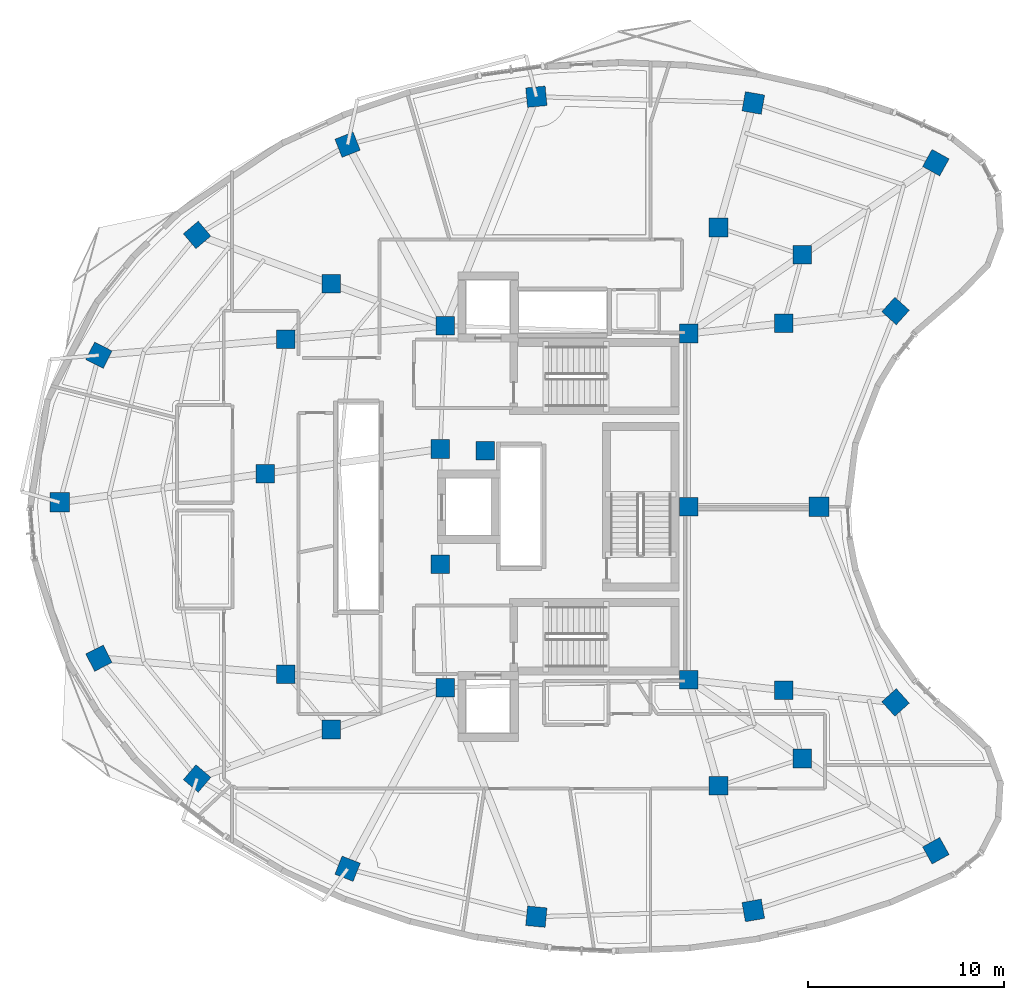
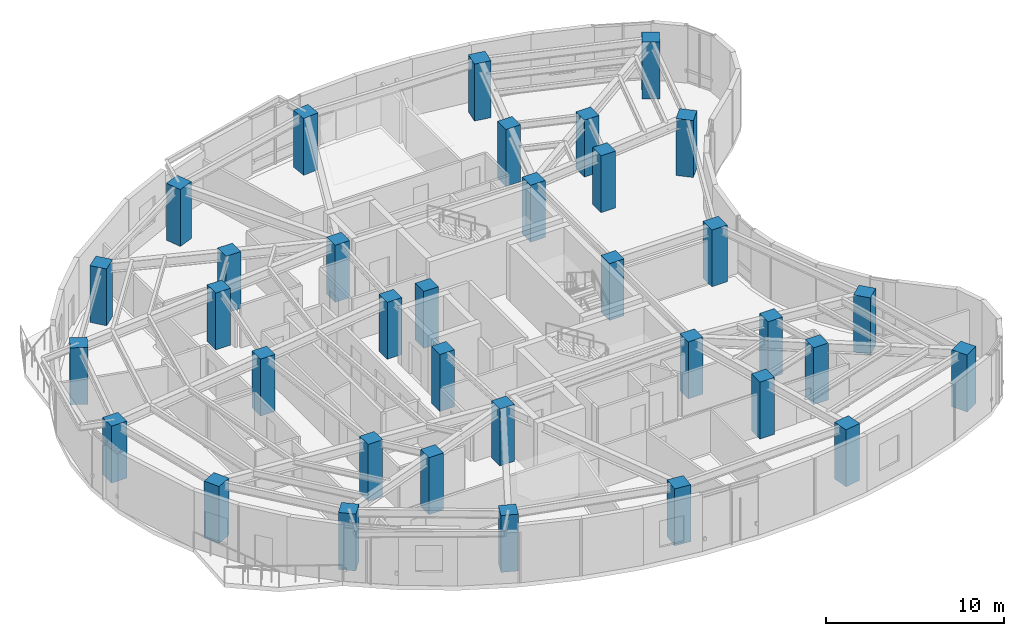
# One storey, part 1 of 15: 35 columns.
"""IFC4 building model written with IfcOpenShell, lengths in metres."""

from ifc_helpers import new_model, si_unit, direction, frame, origin, origin_2d, place, context, subcontext, project, spatial, rectangle, extrude, material, material_profile, profile_set, type_object, element, save


model = new_model("IFC4")

# Units and contexts
model_context = context("Model", 3, precision=1e-05, world=origin(), true_north=direction((0.0, 1.0)))
body_context = subcontext(model_context, "Body", "Model", "MODEL_VIEW")
ifc_project = project(units=[si_unit("LENGTHUNIT", "METRE"), si_unit("AREAUNIT", "SQUARE_METRE"), si_unit("VOLUMEUNIT", "CUBIC_METRE"), si_unit("PLANEANGLEUNIT", "RADIAN"), si_unit("MASSUNIT", "GRAM", prefix="KILO")], contexts=[model_context])

# Site, building, storey
site_placement = place(None, origin())
site = spatial("IfcSite", under=ifc_project, at=site_placement, CompositionType="ELEMENT")
building_placement = place(site_placement, origin())
building = spatial("IfcBuilding", under=site, at=building_placement, Name="Korentha Bioscience Tower", CompositionType="ELEMENT")
storey_placement = place(building_placement, frame((0.0, 0.0, 235.199951171875)))
storey = spatial("IfcBuildingStorey", under=building, at=storey_placement, Name="L54", CompositionType="ELEMENT", Elevation=235.199951171875)

# Columns
ifc_material = material(Name="Concrete C65", Category="concrete")
ifc_material_profile_1 = material_profile(ifc_material, rectangle(XDim=0.949951171875, YDim=0.949951171875, at=origin_2d()), Name="Concrete C65")
ifc_profile_set_1 = profile_set([ifc_material_profile_1], Name="Concrete C65 (COL-CP09)")
column_type_1 = type_object("IfcColumnType", Name="Core Pilaster Column RC 950x950", PredefinedType="PILASTER", material=ifc_profile_set_1)
for number, where, z_axis, x_axis, name in (
    (1, (37.550048828125, 35.85009765625, -0.00048828125), (0.0, 0.0, 1.0), (1.0, 0.0, 0.0), "L54 Core Pilaster CP-01"),
    (2, (25.10009765625, 36.25, -0.00048828125), (0.0, 0.0, 1.0), (1.0, 0.0, 0.0), "L54 Core Pilaster CP-02"),
    (3, (24.85009765625, 29.949951171875, -0.00048828125), (0.0, 0.0, 1.0), (1.0, 0.0, 0.0), "L54 Core Pilaster CP-03"),
    (4, (27.14990234375, 29.85009765625, -0.00048828125), (0.0, 0.0, 1.0), (1.0, 0.0, 0.0), "L54 Core Pilaster CP-04"),
    (5, (24.85009765625, 24.050048828125, -0.00048828125), (0.0, 0.0, 1.0), (1.0, 0.0, 0.0), "L54 Core Pilaster CP-05"),
    (6, (25.10009765625, 17.75, -0.00048828125), (0.0, 0.0, 1.0), (1.0, 0.0, 0.0), "L54 Core Pilaster CP-06"),
    (7, (37.550048828125, 18.14990234375, -0.00048828125), (0.0, 0.0, 1.0), (1.0, 0.0, 0.0), "L54 Core Pilaster CP-07"),
    (8, (37.550048828125, 27.0, -0.00048828125), (0.0, 0.0, 1.0), (1.0, 0.0, 0.0), "L54 Core Pilaster CP-08"),
):
    element("IfcColumn", number, at=place(storey_placement, frame(where, z_axis=z_axis, x_axis=x_axis)), inside=storey, type_object=column_type_1, Name=name, PredefinedType="PILASTER", context=body_context, shape_type="SweptSolid", body=[
        extrude(rectangle(XDim=0.949951171875, YDim=0.949951171875, at=origin_2d()), origin(), (0.0, 0.0, 1.0), 3.901123046875),
    ])
ifc_material_profile_2 = material_profile(ifc_material, rectangle(XDim=0.949951171875, YDim=0.949951171875, at=origin_2d()), Name="Concrete C65")
ifc_profile_set_2 = profile_set([ifc_material_profile_2], Name="Concrete C65 (COL-MR09)")
column_type_2 = type_object("IfcColumnType", Name="Mid-Ring Lab Column RC 950x950", PredefinedType="COLUMN", material=ifc_profile_set_2)
for number, where, z_axis, x_axis, name in (
    (9, (43.357666015625, 39.8662109375, -0.00048828125), (0.0, 0.0, 1.0), (1.0, 0.0, 0.0), "L54 Mid-Ring Column 01"),
    (10, (39.066650390625, 41.269775390625, -0.00048828125), (0.0, 0.0, 1.0), (1.0, 0.0, 0.0), "L54 Mid-Ring Column 02"),
    (11, (19.268310546875, 38.3837890625, -0.00048828125), (0.0, 0.0, 1.0), (1.0, 0.0, 0.0), "L54 Mid-Ring Column 05"),
    (12, (16.96044921875, 35.555908203125, -0.00048828125), (0.0, 0.0, 1.0), (1.0, 0.0, 0.0), "L54 Mid-Ring Column 06"),
    (13, (15.903076171875, 28.69482421875, -0.00048828125), (0.0, 0.0, 1.0), (1.0, 0.0, 0.0), "L54 Mid-Ring Column 07"),
    (14, (16.96044921875, 18.444091796875, -0.00048828125), (0.0, 0.0, 1.0), (1.0, 0.0, 0.0), "L54 Mid-Ring Column 08"),
    (15, (19.268310546875, 15.6162109375, -0.00048828125), (0.0, 0.0, 1.0), (1.0, 0.0, 0.0), "L54 Mid-Ring Column 09"),
    (16, (39.066650390625, 12.730224609375, -0.00048828125), (0.0, 0.0, 1.0), (1.0, 0.0, 0.0), "L54 Mid-Ring Column 12"),
    (17, (43.357666015625, 14.1337890625, -0.00048828125), (0.0, 0.0, 1.0), (1.0, 0.0, 0.0), "L54 Mid-Ring Column 13"),
    (18, (42.41064453125, 17.620361328125, -0.00048828125), (0.0, 0.0, 1.0), (1.0, 0.0, 0.0), "L54 Mid-Ring Column 14"),
    (19, (42.41064453125, 36.379638671875, -0.00048828125), (0.0, 0.0, 1.0), (1.0, 0.0, 0.0), "L54 Mid-Ring Column 16"),
):
    element("IfcColumn", number, at=place(storey_placement, frame(where, z_axis=z_axis, x_axis=x_axis)), inside=storey, type_object=column_type_2, Name=name, PredefinedType="COLUMN", context=body_context, shape_type="SweptSolid", body=[
        extrude(rectangle(XDim=0.949951171875, YDim=0.949951171875, at=origin_2d()), origin(), (0.0, 0.0, 1.0), 3.901123046875),
    ])
ifc_material_profile_3 = material_profile(ifc_material, rectangle(XDim=1.0, YDim=1.0, at=origin_2d()), Name="Concrete C65")
ifc_profile_set_3 = profile_set([ifc_material_profile_3], Name="Concrete C65 (COL-P10)")
column_type_3 = type_object("IfcColumnType", Name="Perimeter Column RC 1000x1000", PredefinedType="COLUMN", material=ifc_profile_set_3)
for number, where, z_axis, x_axis, name in (
    (20, (50.175537109375, 44.580810546875, -0.00048828125), (0.0, 0.0, 1.0), (-0.874535078577, 0.484962262797, 0.0), "L54 Perimeter Column 01"),
    (21, (40.846923828125, 47.632080078125, -0.00048828125), (0.0, 0.0, 1.0), (-0.984868307662, 0.173304404339, 0.0), "L54 Perimeter Column 02"),
    (22, (29.75927734375, 47.951171875, -0.00048828125), (0.0, 0.0, 1.0), (0.995462868748, 0.095150811579, 0.0), "L54 Perimeter Column 03"),
    (23, (20.11328125, 45.5, -0.00048828125), (0.0, 0.0, 1.0), (0.930225540858, 0.366988341962, 0.0), "L54 Perimeter Column 04"),
    (24, (12.422607421875, 40.888671875, -0.00048828125), (0.0, 0.0, 1.0), (0.764246456939, 0.644924300253, 0.0), "L54 Perimeter Column 05"),
    (25, (7.4052734375, 34.741455078125, -0.00048828125), (0.0, 0.0, 1.0), (0.453057191132, 0.891481453292, 0.0), "L54 Perimeter Column 06"),
    (26, (5.39990234375, 27.2216796875, -0.00048828125), (0.0, 0.0, 1.0), (0.0, 1.0, 0.0), "L54 Perimeter Column 07"),
    (27, (7.4052734375, 19.258544921875, -0.00048828125), (0.0, 0.0, 1.0), (-0.453057191132, 0.891481453292, 0.0), "L54 Perimeter Column 08"),
    (28, (12.422607421875, 13.111328125, -0.00048828125), (0.0, 0.0, 1.0), (-0.764246456939, 0.644924300253, 0.0), "L54 Perimeter Column 09"),
    (29, (20.11328125, 8.5, -0.00048828125), (0.0, 0.0, 1.0), (-0.930225540858, 0.366988341962, 0.0), "L54 Perimeter Column 10"),
    (30, (29.75927734375, 6.048828125, -0.00048828125), (0.0, 0.0, 1.0), (-0.995462868748, 0.095150811579, 0.0), "L54 Perimeter Column 11"),
    (31, (40.846923828125, 6.367919921875, -0.00048828125), (0.0, 0.0, 1.0), (0.984868307662, 0.173304404339, 0.0), "L54 Perimeter Column 12"),
    (32, (50.175537109375, 9.419189453125, -0.00048828125), (0.0, 0.0, 1.0), (0.874535078577, 0.484962262797, 0.0), "L54 Perimeter Column 13"),
    (33, (48.116455078125, 16.998779296875, -0.00048828125), (0.0, 0.0, 1.0), (-0.669130606359, 0.743144825477, 0.0), "L54 Perimeter Column 14"),
    (34, (44.201904296875, 27.0, -0.00048828125), (0.0, 0.0, 1.0), (0.0, 1.0, 0.0), "L54 Perimeter Column 15"),
    (35, (48.116455078125, 37.001220703125, -0.00048828125), (0.0, 0.0, 1.0), (0.669130606359, 0.743144825477, 0.0), "L54 Perimeter Column 16"),
):
    element("IfcColumn", number, at=place(storey_placement, frame(where, z_axis=z_axis, x_axis=x_axis)), inside=storey, type_object=column_type_3, Name=name, PredefinedType="COLUMN", context=body_context, shape_type="SweptSolid", body=[
        extrude(rectangle(XDim=1.0, YDim=1.0, at=origin_2d()), origin(), (0.0, 0.0, 1.0), 3.901123046875),
    ])

save(model, "model.ifc")
